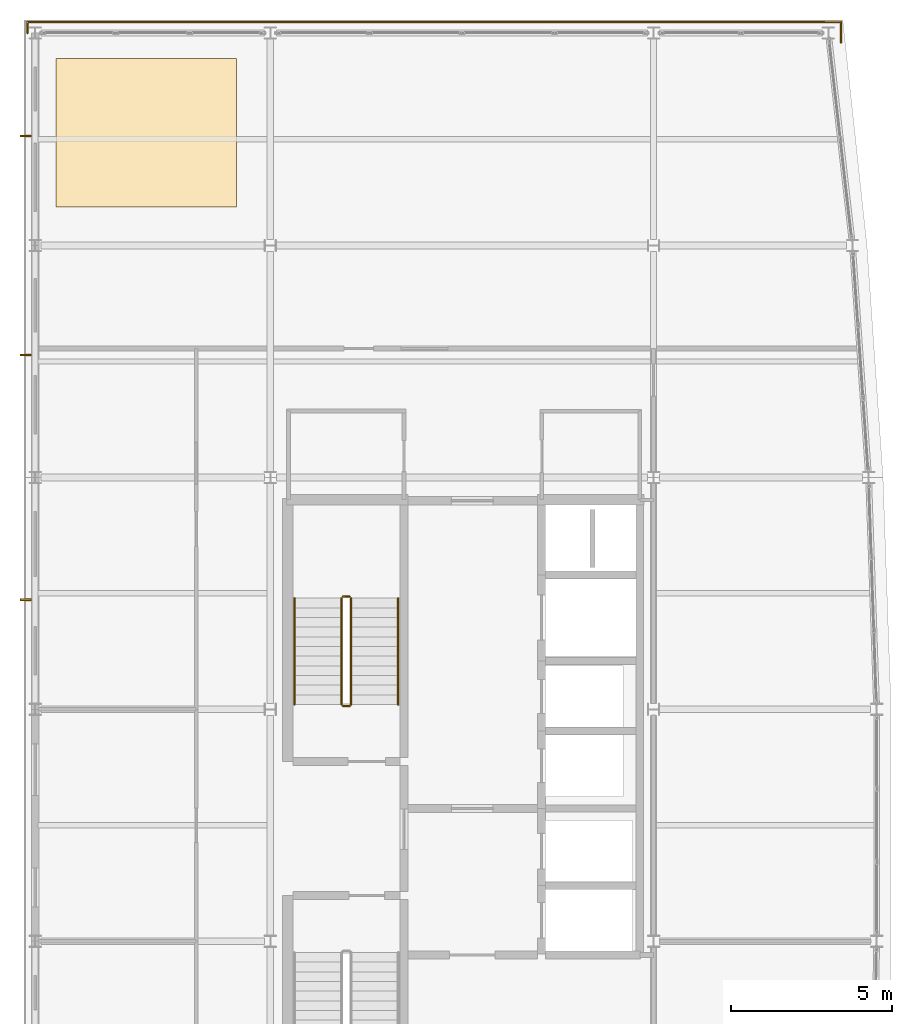
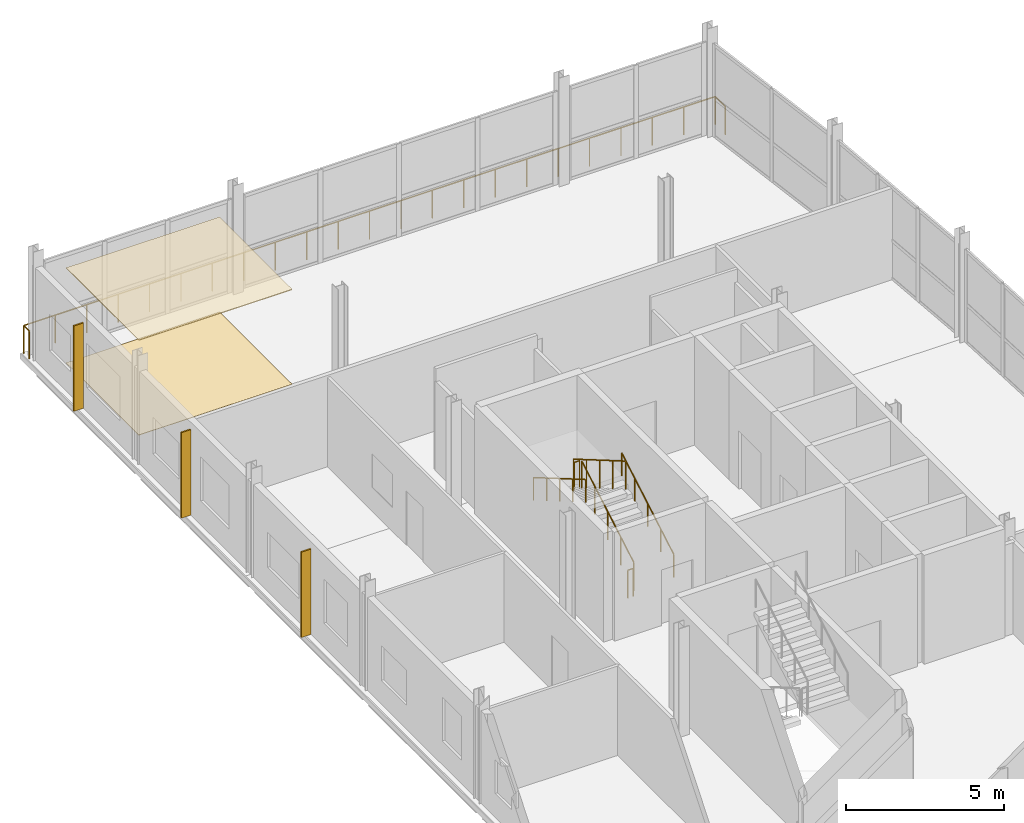
# One storey, part 16 of 16: 7 railings, 3 shading devices, 2 coverings.
"""IFC4 building model written with IfcOpenShell, lengths in metres."""

from ifc_helpers import new_model, si_unit, direction, frame, origin, origin_2d, place, context, subcontext, project, spatial, polyline, rectangle, circle, outline, extrude, material, layer, layer_set, type_object, element, save


model = new_model("IFC4")

# Units and contexts
model_context = context("Model", 3, precision=1e-05, world=origin(), true_north=direction((0.0, 1.0)))
body_context = subcontext(model_context, "Body", "Model", "MODEL_VIEW")
ifc_project = project(units=[si_unit("LENGTHUNIT", "METRE"), si_unit("AREAUNIT", "SQUARE_METRE"), si_unit("VOLUMEUNIT", "CUBIC_METRE"), si_unit("PLANEANGLEUNIT", "RADIAN"), si_unit("MASSUNIT", "GRAM", prefix="KILO")], contexts=[model_context])

# Site, building, storey
site_placement = place(None, origin())
site = spatial("IfcSite", under=ifc_project, at=site_placement, CompositionType="ELEMENT")
building_placement = place(site_placement, origin())
building = spatial("IfcBuilding", under=site, at=building_placement, Name="Quillay Park Conservatory", CompositionType="ELEMENT")
storey_placement = place(building_placement, frame((0.0, 0.0, 39.300048828125)))
storey = spatial("IfcBuildingStorey", under=building, at=storey_placement, Name="L09", CompositionType="ELEMENT", Elevation=39.300048828125)

# Coverings
ifc_material_1 = material(Name="Perforated Mineral-Fibre Acoustic Ceiling")
ifc_layer_1 = layer(ifc_material_1, 0.030029296875)
ifc_layer_set_1 = layer_set([ifc_layer_1], Name="LABORATORY HYGIENIC CEILING 30 (Perforated Mineral-Fibre Acoustic Ceiling)")
covering_type_1 = type_object("IfcCoveringType", Name="LABORATORY HYGIENIC CEILING 30", PredefinedType="CEILING", material=ifc_layer_set_1)
covering_1_placement = place(storey_placement, frame((0.0, 0.0, 3.656982421875)))
element("IfcCovering", 1, at=covering_1_placement, inside=storey, type_object=covering_type_1, Name="L09 Suspended Acoustic Ceiling", PredefinedType="CEILING", context=body_context, shape_type="SweptSolid", body=[
    extrude(outline(polyline([(1.199951171875, 108.0), (6.800048828125, 108.0), (6.800048828125, 112.60009765625), (1.199951171875, 112.60009765625), (1.199951171875, 108.0)])), origin(), (0.0, 0.0, 1.0), 0.030029296875),
])
ifc_material_2 = material(Name="Seamless Chemical-Resistant Epoxy Flooring")
ifc_layer_2 = layer(ifc_material_2, 0.01806640625)
ifc_layer_set_2 = layer_set([ifc_layer_2], Name="SEAMLESS EPOXY LAB FLOORING 18 (Seamless Chemical-Resistant Epoxy Flooring)")
covering_type_2 = type_object("IfcCoveringType", Name="SEAMLESS EPOXY LAB FLOORING 18", PredefinedType="FLOORING", material=ifc_layer_set_2)
covering_2_placement = place(storey_placement, origin())
element("IfcCovering", 2, at=covering_2_placement, inside=storey, type_object=covering_type_2, Name="L09 Interior Flooring Finish", PredefinedType="FLOORING", context=body_context, shape_type="SweptSolid", body=[
    extrude(outline(polyline([(1.199951171875, 108.0), (6.800048828125, 108.0), (6.800048828125, 112.60009765625), (1.199951171875, 112.60009765625), (1.199951171875, 108.0)])), origin(), (0.0, 0.0, 1.0), 0.01806640625),
])

# Railings
ifc_material_3 = material(Name="Steel S355J2H", Category="steel")
railing_type_1 = type_object("IfcRailingType", Name="STAIR WALL HANDRAIL 900", PredefinedType="HANDRAIL", material=ifc_material_3)
railing_1_placement = place(storey_placement, frame((11.820068359375, 92.550048828125, 0.175048828125)))
element("IfcRailing", 3, at=railing_1_placement, inside=storey, type_object=railing_type_1, Name="L09 ST-T1 stair handrail 1", PredefinedType="HANDRAIL", context=body_context, shape_type="SweptSolid", body=[
    extrude(circle(Radius=0.02392578125, at=origin_2d()), frame((0.0, 0.0, 0.8759765625), z_axis=(0.0, 0.863804395585, 0.503827317807), x_axis=(-1.0, 0.0, 0.0)), (0.0, 0.0, 1.0), 3.8203125),
    extrude(circle(Radius=0.02099609375, at=origin_2d()), origin(), (0.0, 0.0, 1.0), 0.851806640625),
    extrude(circle(Radius=0.02099609375, at=origin_2d()), frame((0.0, 0.824951171875, 0.481201171875)), (0.0, 0.0, 1.0), 0.851806640625),
    extrude(circle(Radius=0.02099609375, at=origin_2d()), frame((0.0, 1.64990234375, 0.96240234375)), (0.0, 0.0, 1.0), 0.851806640625),
    extrude(circle(Radius=0.02099609375, at=origin_2d()), frame((0.0, 2.47509765625, 1.443603515625)), (0.0, 0.0, 1.0), 0.851806640625),
    extrude(circle(Radius=0.02099609375, at=origin_2d()), frame((0.0, 3.300048828125, 1.9248046875)), (0.0, 0.0, 1.0), 0.851806640625),
])
railing_2_placement = place(storey_placement, frame((8.60009765625, 95.85009765625, 2.27490234375)))
element("IfcRailing", 4, at=railing_2_placement, inside=storey, type_object=railing_type_1, Name="L09 ST-T1 stair handrail 2", PredefinedType="HANDRAIL", context=body_context, shape_type="SweptSolid", body=[
    extrude(circle(Radius=0.02392578125, at=origin_2d()), frame((0.0, 0.0, 0.8759765625), z_axis=(0.0, -0.863776583165, 0.503874998761), x_axis=(1.0, 0.0, 0.0)), (0.0, 0.0, 1.0), 3.820556640625),
    extrude(circle(Radius=0.02099609375, at=origin_2d()), origin(), (0.0, 0.0, 1.0), 0.851806640625),
    extrude(circle(Radius=0.02099609375, at=origin_2d()), frame((0.0, -0.824951171875, 0.481201171875)), (0.0, 0.0, 1.0), 0.851806640625),
    extrude(circle(Radius=0.02099609375, at=origin_2d()), frame((0.0, -1.64990234375, 0.96240234375)), (0.0, 0.0, 1.0), 0.851806640625),
    extrude(circle(Radius=0.02099609375, at=origin_2d()), frame((0.0, -2.47509765625, 1.44384765625)), (0.0, 0.0, 1.0), 0.851806640625),
    extrude(circle(Radius=0.02099609375, at=origin_2d()), frame((0.0, -3.300048828125, 1.925048828125)), (0.0, 0.0, 1.0), 0.851806640625),
])
ifc_material_4 = material(Name="Steel S355J2H", Category="steel")
railing_type_2 = type_object("IfcRailingType", Name="STAIR WELL GUARDRAIL 1100", PredefinedType="GUARDRAIL", material=ifc_material_4)
railing_3_placement = place(storey_placement, frame((10.360107421875, 92.550048828125, 0.175048828125)))
element("IfcRailing", 5, at=railing_3_placement, inside=storey, type_object=railing_type_2, Name="L09 ST-T1 stair guard 1", PredefinedType="GUARDRAIL", context=body_context, shape_type="SweptSolid", body=[
    extrude(circle(Radius=0.02392578125, at=origin_2d()), frame((0.0, 0.0, 1.076171875), z_axis=(0.0, 0.863804395585, 0.503827317807), x_axis=(-1.0, 0.0, 0.0)), (0.0, 0.0, 1.0), 3.8203125),
    extrude(circle(Radius=0.02099609375, at=origin_2d()), origin(), (0.0, 0.0, 1.0), 1.052001953125),
    extrude(circle(Radius=0.02099609375, at=origin_2d()), frame((0.0, 0.824951171875, 0.481201171875)), (0.0, 0.0, 1.0), 1.052001953125),
    extrude(circle(Radius=0.02099609375, at=origin_2d()), frame((0.0, 1.64990234375, 0.96240234375)), (0.0, 0.0, 1.0), 1.052001953125),
    extrude(circle(Radius=0.02099609375, at=origin_2d()), frame((0.0, 2.47509765625, 1.443603515625)), (0.0, 0.0, 1.0), 1.052001953125),
    extrude(circle(Radius=0.02099609375, at=origin_2d()), frame((0.0, 3.300048828125, 1.9248046875)), (0.0, 0.0, 1.0), 1.052001953125),
])
railing_4_placement = place(storey_placement, frame((10.31005859375, 95.89990234375, 2.099853515625)))
element("IfcRailing", 6, at=railing_4_placement, inside=storey, type_object=railing_type_2, Name="L09 ST-T1 stair guard 2", PredefinedType="GUARDRAIL", context=body_context, shape_type="SweptSolid", body=[
    extrude(circle(Radius=0.02392578125, at=origin_2d()), frame((0.0, 0.0, 1.076171875), z_axis=(-1.0, 0.0, 0.0), x_axis=(0.0, -1.0, 0.0)), (0.0, 0.0, 1.0), 0.199951171875),
    extrude(circle(Radius=0.02099609375, at=origin_2d()), origin(), (0.0, 0.0, 1.0), 1.052001953125),
    extrude(circle(Radius=0.02099609375, at=origin_2d()), frame((-0.199951171875, 0.0, 0.0)), (0.0, 0.0, 1.0), 1.052001953125),
])
railing_5_placement = place(storey_placement, frame((10.06005859375, 95.85009765625, 2.27490234375)))
element("IfcRailing", 7, at=railing_5_placement, inside=storey, type_object=railing_type_2, Name="L09 ST-T1 stair guard 3", PredefinedType="GUARDRAIL", context=body_context, shape_type="SweptSolid", body=[
    extrude(circle(Radius=0.02392578125, at=origin_2d()), frame((0.0, 0.0, 1.076171875), z_axis=(0.0, -0.863776583165, 0.503874998761), x_axis=(1.0, 0.0, 0.0)), (0.0, 0.0, 1.0), 3.820556640625),
    extrude(circle(Radius=0.02099609375, at=origin_2d()), origin(), (0.0, 0.0, 1.0), 1.052001953125),
    extrude(circle(Radius=0.02099609375, at=origin_2d()), frame((0.0, -0.824951171875, 0.481201171875)), (0.0, 0.0, 1.0), 1.052001953125),
    extrude(circle(Radius=0.02099609375, at=origin_2d()), frame((0.0, -1.64990234375, 0.96240234375)), (0.0, 0.0, 1.0), 1.052001953125),
    extrude(circle(Radius=0.02099609375, at=origin_2d()), frame((0.0, -2.47509765625, 1.44384765625)), (0.0, 0.0, 1.0), 1.052001953125),
    extrude(circle(Radius=0.02099609375, at=origin_2d()), frame((0.0, -3.300048828125, 1.925048828125)), (0.0, 0.0, 1.0), 1.052001953125),
])
railing_6_placement = place(storey_placement, frame((10.31005859375, 92.5, 0.0)))
element("IfcRailing", 8, at=railing_6_placement, inside=storey, type_object=railing_type_2, Name="L09 ST-T1 stair guard 4", PredefinedType="GUARDRAIL", context=body_context, shape_type="SweptSolid", body=[
    extrude(circle(Radius=0.02392578125, at=origin_2d()), frame((0.0, 0.0, 1.076171875), z_axis=(-1.0, 0.0, 0.0), x_axis=(0.0, -1.0, 0.0)), (0.0, 0.0, 1.0), 0.199951171875),
    extrude(circle(Radius=0.02099609375, at=origin_2d()), origin(), (0.0, 0.0, 1.0), 1.052001953125),
    extrude(circle(Radius=0.02099609375, at=origin_2d()), frame((-0.199951171875, 0.0, 0.0)), (0.0, 0.0, 1.0), 1.052001953125),
])
ifc_material_5 = material(Name="Steel S355J2H", Category="steel")
railing_type_3 = type_object("IfcRailingType", Name="TERRACE PERIMETER GUARDRAIL 1100", PredefinedType="GUARDRAIL", material=ifc_material_5)
railing_7_placement = place(storey_placement, frame((0.31005859375, 113.39990234375, 0.0)))
element("IfcRailing", 9, at=railing_7_placement, inside=storey, type_object=railing_type_3, Name="L09 Perimeter Safety Guardrail 035", PredefinedType="GUARDRAIL", context=body_context, shape_type="SweptSolid", body=[
    extrude(circle(Radius=0.02392578125, at=origin_2d()), frame((0.0, 0.0, 1.076171875), z_axis=(0.0, 1.0, 0.0), x_axis=(-1.0, 0.0, 0.0)), (0.0, 0.0, 1.0), 0.340087890625),
    extrude(circle(Radius=0.02392578125, at=origin_2d()), frame((0.0, 0.340087890625, 1.076171875), z_axis=(1.0, 0.0, 0.0), x_axis=(0.0, 1.0, 0.0)), (0.0, 0.0, 1.0), 25.2548828125),
    extrude(circle(Radius=0.02392578125, at=origin_2d()), frame((25.2548828125, 0.340087890625, 1.076171875), z_axis=(0.0, -1.0, 0.0), x_axis=(1.0, 0.0, 0.0)), (0.0, 0.0, 1.0), 0.639892578125),
    extrude(circle(Radius=0.02099609375, at=origin_2d()), origin(), (0.0, 0.0, 1.0), 1.052001953125),
    extrude(circle(Radius=0.02099609375, at=origin_2d()), frame((0.0, 0.340087890625, 0.0)), (0.0, 0.0, 1.0), 1.052001953125),
    extrude(circle(Radius=0.02099609375, at=origin_2d()), frame((1.14794921875, 0.340087890625, 0.0)), (0.0, 0.0, 1.0), 1.052001953125),
    extrude(circle(Radius=0.02099609375, at=origin_2d()), frame((2.2958984375, 0.340087890625, 0.0)), (0.0, 0.0, 1.0), 1.052001953125),
    extrude(circle(Radius=0.02099609375, at=origin_2d()), frame((3.44384765625, 0.340087890625, 0.0)), (0.0, 0.0, 1.0), 1.052001953125),
    extrude(circle(Radius=0.02099609375, at=origin_2d()), frame((4.591796875, 0.340087890625, 0.0)), (0.0, 0.0, 1.0), 1.052001953125),
    extrude(circle(Radius=0.02099609375, at=origin_2d()), frame((5.73974609375, 0.340087890625, 0.0)), (0.0, 0.0, 1.0), 1.052001953125),
    extrude(circle(Radius=0.02099609375, at=origin_2d()), frame((6.8876953125, 0.340087890625, 0.0)), (0.0, 0.0, 1.0), 1.052001953125),
    extrude(circle(Radius=0.02099609375, at=origin_2d()), frame((8.03564453125, 0.340087890625, 0.0)), (0.0, 0.0, 1.0), 1.052001953125),
    extrude(circle(Radius=0.02099609375, at=origin_2d()), frame((9.18359375, 0.340087890625, 0.0)), (0.0, 0.0, 1.0), 1.052001953125),
    extrude(circle(Radius=0.02099609375, at=origin_2d()), frame((10.33154296875, 0.340087890625, 0.0)), (0.0, 0.0, 1.0), 1.052001953125),
    extrude(circle(Radius=0.02099609375, at=origin_2d()), frame((11.4794921875, 0.340087890625, 0.0)), (0.0, 0.0, 1.0), 1.052001953125),
    extrude(circle(Radius=0.02099609375, at=origin_2d()), frame((12.62744140625, 0.340087890625, 0.0)), (0.0, 0.0, 1.0), 1.052001953125),
    extrude(circle(Radius=0.02099609375, at=origin_2d()), frame((13.775390625, 0.340087890625, 0.0)), (0.0, 0.0, 1.0), 1.052001953125),
    extrude(circle(Radius=0.02099609375, at=origin_2d()), frame((14.92333984375, 0.340087890625, 0.0)), (0.0, 0.0, 1.0), 1.052001953125),
    extrude(circle(Radius=0.02099609375, at=origin_2d()), frame((16.0712890625, 0.340087890625, 0.0)), (0.0, 0.0, 1.0), 1.052001953125),
    extrude(circle(Radius=0.02099609375, at=origin_2d()), frame((17.21923828125, 0.340087890625, 0.0)), (0.0, 0.0, 1.0), 1.052001953125),
    extrude(circle(Radius=0.02099609375, at=origin_2d()), frame((18.3671875, 0.340087890625, 0.0)), (0.0, 0.0, 1.0), 1.052001953125),
    extrude(circle(Radius=0.02099609375, at=origin_2d()), frame((19.51513671875, 0.340087890625, 0.0)), (0.0, 0.0, 1.0), 1.052001953125),
    extrude(circle(Radius=0.02099609375, at=origin_2d()), frame((20.6630859375, 0.340087890625, 0.0)), (0.0, 0.0, 1.0), 1.052001953125),
    extrude(circle(Radius=0.02099609375, at=origin_2d()), frame((21.81103515625, 0.340087890625, 0.0)), (0.0, 0.0, 1.0), 1.052001953125),
    extrude(circle(Radius=0.02099609375, at=origin_2d()), frame((22.958984375, 0.340087890625, 0.0)), (0.0, 0.0, 1.0), 1.052001953125),
    extrude(circle(Radius=0.02099609375, at=origin_2d()), frame((24.10693359375, 0.340087890625, 0.0)), (0.0, 0.0, 1.0), 1.052001953125),
    extrude(circle(Radius=0.02099609375, at=origin_2d()), frame((25.2548828125, 0.340087890625, 0.0)), (0.0, 0.0, 1.0), 1.052001953125),
    extrude(circle(Radius=0.02099609375, at=origin_2d()), frame((25.2548828125, -0.2998046875, 0.0)), (0.0, 0.0, 1.0), 1.052001953125),
])

# Shading devices
ifc_material_6 = material(Name="Perforated Copper-Bronze Anodised Aluminium", Category="aluminium")
shading_device_type = type_object("IfcShadingDeviceType", Name="COPPER BRONZE SOLAR FIN", PredefinedType="USERDEFINED", material=ifc_material_6)
for number, where, z_axis, x_axis, name in (
    (10, (0.2548828125, 95.800048828125, 0.0), (0.0, 0.0, 1.0), (1.0, 0.0, 0.0), "L09 Perforated Copper-Bronze Solar Fin 028"),
    (11, (0.2548828125, 103.39990234375, 0.0), (0.0, 0.0, 1.0), (1.0, 0.0, 0.0), "L09 Perforated Copper-Bronze Solar Fin 029"),
    (12, (0.2548828125, 110.199951171875, 0.0), (0.0, 0.0, 1.0), (1.0, 0.0, 0.0), "L09 Perforated Copper-Bronze Solar Fin 030"),
):
    element("IfcShadingDevice", number, at=place(storey_placement, frame(where, z_axis=z_axis, x_axis=x_axis)), inside=storey, type_object=shading_device_type, Name=name, ObjectType="SOLAR FIN", PredefinedType="USERDEFINED", context=body_context, shape_type="SweptSolid", body=[
        extrude(rectangle(XDim=0.35009765625, YDim=0.054931640625, at=origin_2d()), origin(), (0.0, 0.0, 1.0), 3.300048828125),
    ])

save(model, "model.ifc")
